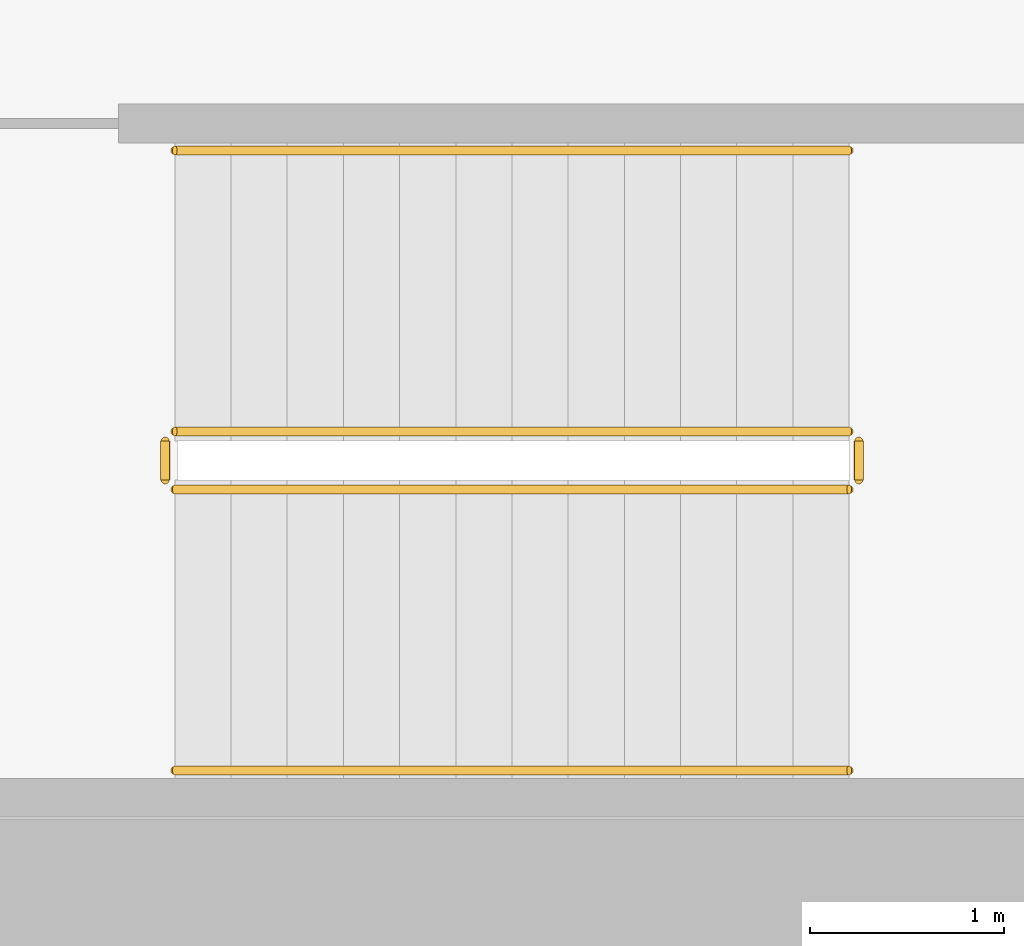
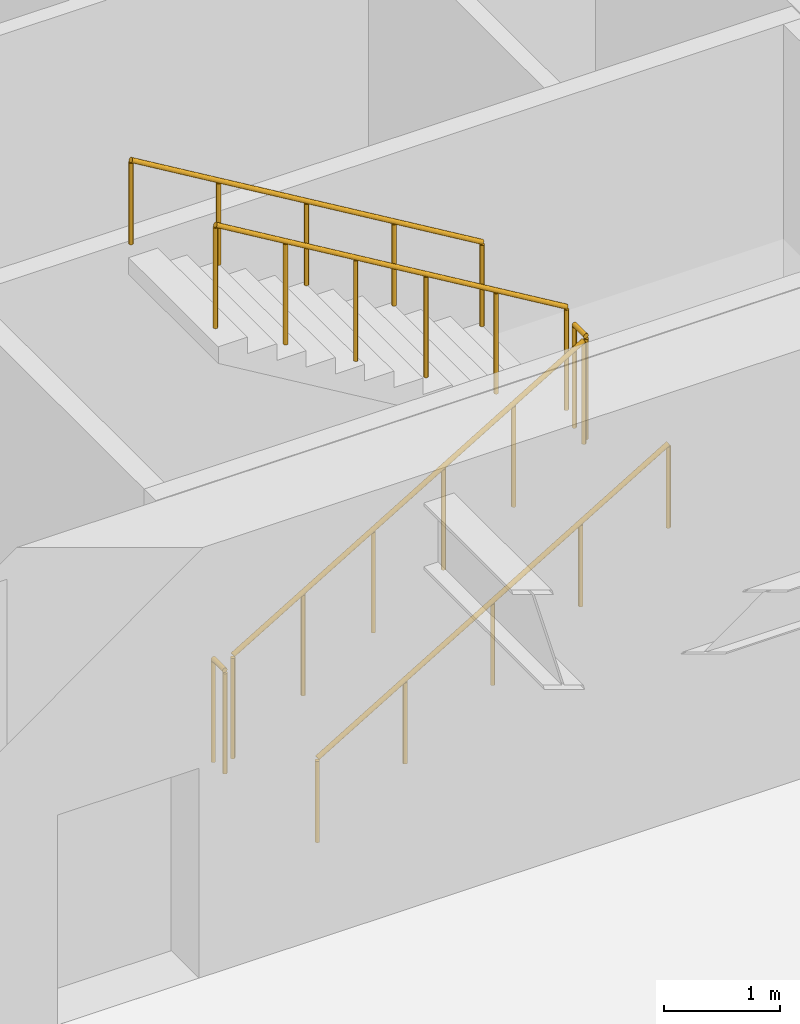
# One storey, part 9 of 10: 6 railings.
"""IFC4 building model written with IfcOpenShell, lengths in metres."""

from ifc_helpers import new_model, si_unit, direction, frame, origin, origin_2d, place, context, subcontext, project, spatial, circle, extrude, material, type_object, element, save


model = new_model("IFC4")

# Units and contexts
model_context = context("Model", 3, precision=1e-05, world=origin(), true_north=direction((0.0, 1.0)))
body_context = subcontext(model_context, "Body", "Model", "MODEL_VIEW")
ifc_project = project(units=[si_unit("LENGTHUNIT", "METRE"), si_unit("AREAUNIT", "SQUARE_METRE"), si_unit("VOLUMEUNIT", "CUBIC_METRE"), si_unit("PLANEANGLEUNIT", "RADIAN"), si_unit("MASSUNIT", "GRAM", prefix="KILO")], contexts=[model_context])

# Site, building, storey
site_placement = place(None, origin())
site = spatial("IfcSite", under=ifc_project, at=site_placement, CompositionType="ELEMENT")
building_placement = place(site_placement, origin())
building = spatial("IfcBuilding", under=site, at=building_placement, Name="Putna Gate Headquarters", CompositionType="ELEMENT")
storey_placement = place(building_placement, frame((0.0, 0.0, -9.0)))
storey = spatial("IfcBuildingStorey", under=building, at=storey_placement, Name="B02", CompositionType="ELEMENT", Elevation=-9.0)

# Railings
ifc_material_1 = material(Name="Powder-coated steel stair guardrail", Category="steel")
railing_type_1 = type_object("IfcRailingType", Name="RAIL-STAIR-GUARD-1100", PredefinedType="GUARDRAIL", material=ifc_material_1)
railing_1_placement = place(storey_placement, frame((57.89990234375, 21.10009765625, 0.173095703125)))
element("IfcRailing", 1, at=railing_1_placement, inside=storey, type_object=railing_type_1, Name="B02 ST2 stair guard 1", PredefinedType="GUARDRAIL", context=body_context, shape_type="SweptSolid", body=[
    extrude(circle(Radius=0.02392578125, at=origin_2d()), frame((0.0, 0.0, 1.076171875), z_axis=(0.858697190188, 0.0, 0.512483302717), x_axis=(0.0, 1.0, 0.0)), (0.0, 0.0, 1.0), 4.052734375),
    extrude(circle(Radius=0.02099609375, at=origin_2d()), origin(), (0.0, 0.0, 1.0), 1.052001953125),
    extrude(circle(Radius=0.02099609375, at=origin_2d()), frame((0.696044921875, 0.0, 0.415283203125)), (0.0, 0.0, 1.0), 1.052001953125),
    extrude(circle(Radius=0.02099609375, at=origin_2d()), frame((1.39208984375, 0.0, 0.830810546875)), (0.0, 0.0, 1.0), 1.052001953125),
    extrude(circle(Radius=0.02099609375, at=origin_2d()), frame((2.087890625, 0.0, 1.24609375)), (0.0, 0.0, 1.0), 1.052001953125),
    extrude(circle(Radius=0.02099609375, at=origin_2d()), frame((2.783935546875, 0.0, 1.66162109375)), (0.0, 0.0, 1.0), 1.052001953125),
    extrude(circle(Radius=0.02099609375, at=origin_2d()), frame((3.47998046875, 0.0, 2.076904296875)), (0.0, 0.0, 1.0), 1.052001953125),
])
railing_2_placement = place(storey_placement, frame((61.429931640625, 21.14990234375, 2.25)))
element("IfcRailing", 2, at=railing_2_placement, inside=storey, type_object=railing_type_1, Name="B02 ST2 stair guard 2", PredefinedType="GUARDRAIL", context=body_context, shape_type="SweptSolid", body=[
    extrude(circle(Radius=0.02392578125, at=origin_2d()), frame((0.0, 0.0, 1.076171875), z_axis=(0.0, 1.0, 0.0), x_axis=(-1.0, 0.0, 0.0)), (0.0, 0.0, 1.0), 0.2001953125),
    extrude(circle(Radius=0.02099609375, at=origin_2d()), origin(), (0.0, 0.0, 1.0), 1.052001953125),
    extrude(circle(Radius=0.02099609375, at=origin_2d()), frame((0.0, 0.2001953125, 0.0)), (0.0, 0.0, 1.0), 1.052001953125),
])
railing_3_placement = place(storey_placement, frame((61.3798828125, 21.39990234375, 2.423095703125)))
element("IfcRailing", 3, at=railing_3_placement, inside=storey, type_object=railing_type_1, Name="B02 ST2 stair guard 3", PredefinedType="GUARDRAIL", context=body_context, shape_type="SweptSolid", body=[
    extrude(circle(Radius=0.02392578125, at=origin_2d()), frame((0.0, 0.0, 1.076171875), z_axis=(-0.858697190188, 0.0, 0.512483302717), x_axis=(0.0, -1.0, 0.0)), (0.0, 0.0, 1.0), 4.052734375),
    extrude(circle(Radius=0.02099609375, at=origin_2d()), origin(), (0.0, 0.0, 1.0), 1.052001953125),
    extrude(circle(Radius=0.02099609375, at=origin_2d()), frame((-0.696044921875, 0.0, 0.415283203125)), (0.0, 0.0, 1.0), 1.052001953125),
    extrude(circle(Radius=0.02099609375, at=origin_2d()), frame((-1.39208984375, 0.0, 0.830810546875)), (0.0, 0.0, 1.0), 1.052001953125),
    extrude(circle(Radius=0.02099609375, at=origin_2d()), frame((-2.087890625, 0.0, 1.24609375)), (0.0, 0.0, 1.0), 1.052001953125),
    extrude(circle(Radius=0.02099609375, at=origin_2d()), frame((-2.783935546875, 0.0, 1.66162109375)), (0.0, 0.0, 1.0), 1.052001953125),
    extrude(circle(Radius=0.02099609375, at=origin_2d()), frame((-3.47998046875, 0.0, 2.076904296875)), (0.0, 0.0, 1.0), 1.052001953125),
])
railing_4_placement = place(storey_placement, frame((57.85009765625, 21.14990234375, 0.0)))
element("IfcRailing", 4, at=railing_4_placement, inside=storey, type_object=railing_type_1, Name="B02 ST2 stair guard 4", PredefinedType="GUARDRAIL", context=body_context, shape_type="SweptSolid", body=[
    extrude(circle(Radius=0.02392578125, at=origin_2d()), frame((0.0, 0.0, 1.076171875), z_axis=(0.0, 1.0, 0.0), x_axis=(-1.0, 0.0, 0.0)), (0.0, 0.0, 1.0), 0.2001953125),
    extrude(circle(Radius=0.02099609375, at=origin_2d()), origin(), (0.0, 0.0, 1.0), 1.052001953125),
    extrude(circle(Radius=0.02099609375, at=origin_2d()), frame((0.0, 0.2001953125, 0.0)), (0.0, 0.0, 1.0), 1.052001953125),
])
ifc_material_2 = material(Name="Brushed stainless steel handrail", Category="steel")
railing_type_2 = type_object("IfcRailingType", Name="RAIL-STAIR-HAND-900", PredefinedType="HANDRAIL", material=ifc_material_2)
railing_5_placement = place(storey_placement, frame((57.89990234375, 19.64990234375, 0.173095703125)))
element("IfcRailing", 5, at=railing_5_placement, inside=storey, type_object=railing_type_2, Name="B02 ST2 stair handrail 1", PredefinedType="HANDRAIL", context=body_context, shape_type="SweptSolid", body=[
    extrude(circle(Radius=0.02392578125, at=origin_2d()), frame((0.0, 0.0, 0.8759765625), z_axis=(0.858697190188, 0.0, 0.512483302717), x_axis=(0.0, 1.0, 0.0)), (0.0, 0.0, 1.0), 4.052734375),
    extrude(circle(Radius=0.02099609375, at=origin_2d()), origin(), (0.0, 0.0, 1.0), 0.851806640625),
    extrude(circle(Radius=0.02099609375, at=origin_2d()), frame((0.8701171875, 0.0, 0.519287109375)), (0.0, 0.0, 1.0), 0.851806640625),
    extrude(circle(Radius=0.02099609375, at=origin_2d()), frame((1.739990234375, 0.0, 1.03857421875)), (0.0, 0.0, 1.0), 0.851806640625),
    extrude(circle(Radius=0.02099609375, at=origin_2d()), frame((2.60986328125, 0.0, 1.5576171875)), (0.0, 0.0, 1.0), 0.851806640625),
    extrude(circle(Radius=0.02099609375, at=origin_2d()), frame((3.47998046875, 0.0, 2.076904296875)), (0.0, 0.0, 1.0), 0.851806640625),
])
railing_6_placement = place(storey_placement, frame((61.3798828125, 22.85009765625, 2.423095703125)))
element("IfcRailing", 6, at=railing_6_placement, inside=storey, type_object=railing_type_2, Name="B02 ST2 stair handrail 2", PredefinedType="HANDRAIL", context=body_context, shape_type="SweptSolid", body=[
    extrude(circle(Radius=0.02392578125, at=origin_2d()), frame((0.0, 0.0, 0.8759765625), z_axis=(-0.858697190188, 0.0, 0.512483302717), x_axis=(0.0, -1.0, 0.0)), (0.0, 0.0, 1.0), 4.052734375),
    extrude(circle(Radius=0.02099609375, at=origin_2d()), origin(), (0.0, 0.0, 1.0), 0.851806640625),
    extrude(circle(Radius=0.02099609375, at=origin_2d()), frame((-0.8701171875, 0.0, 0.519287109375)), (0.0, 0.0, 1.0), 0.851806640625),
    extrude(circle(Radius=0.02099609375, at=origin_2d()), frame((-1.739990234375, 0.0, 1.03857421875)), (0.0, 0.0, 1.0), 0.851806640625),
    extrude(circle(Radius=0.02099609375, at=origin_2d()), frame((-2.60986328125, 0.0, 1.5576171875)), (0.0, 0.0, 1.0), 0.851806640625),
    extrude(circle(Radius=0.02099609375, at=origin_2d()), frame((-3.47998046875, 0.0, 2.076904296875)), (0.0, 0.0, 1.0), 0.851806640625),
])

save(model, "model.ifc")
